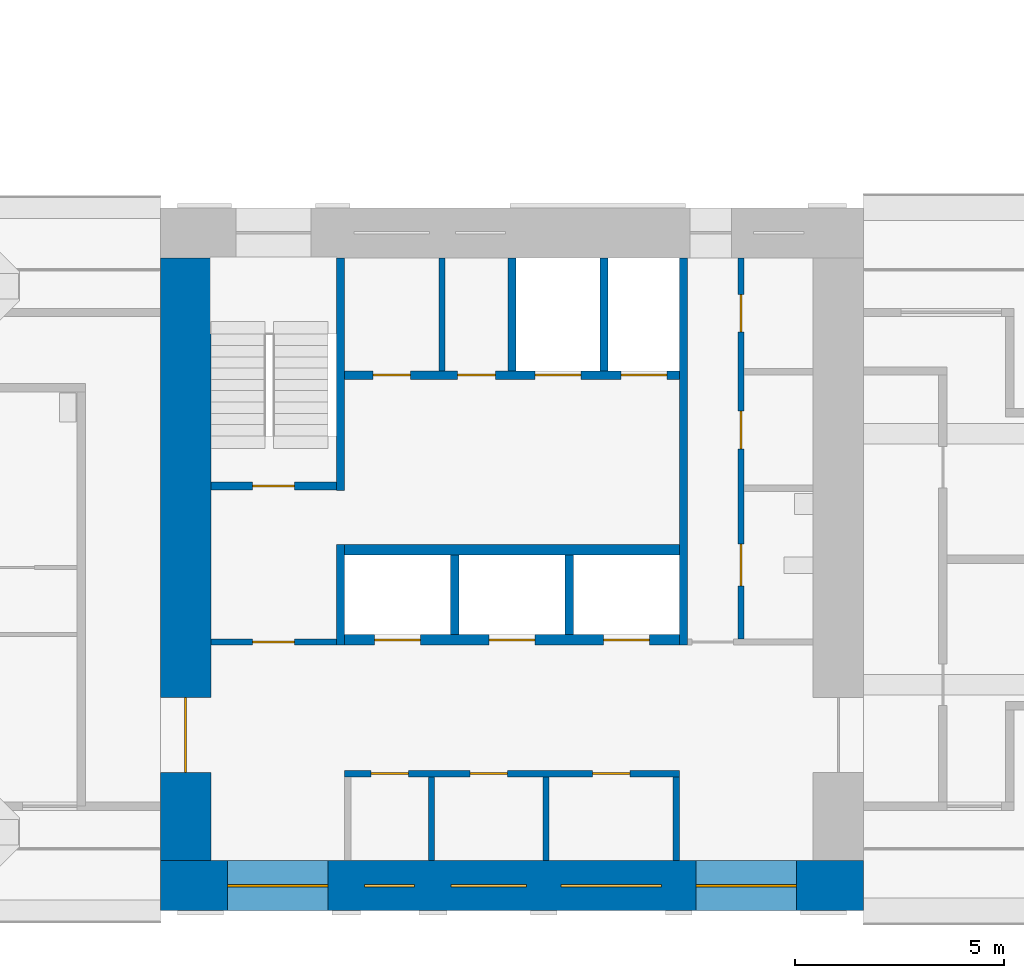
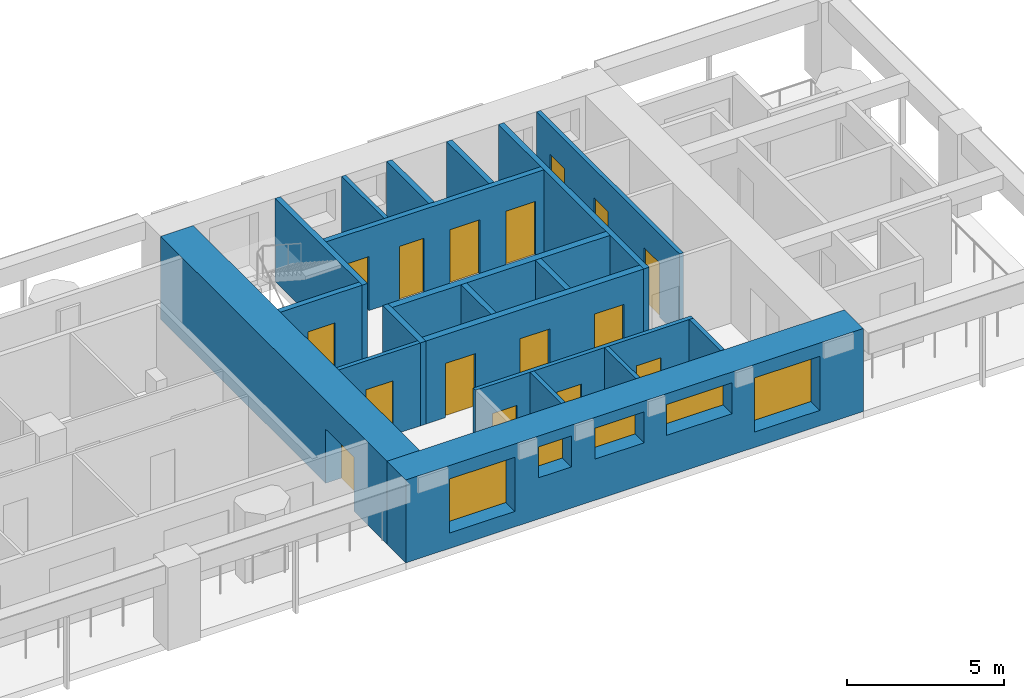
# One storey, part 4 of 13: 20 walls, 16 doors, 5 windows, 21 openings.
"""IFC4 building model written with IfcOpenShell, lengths in metres."""

from ifc_helpers import new_model, si_unit, direction, frame, frame_2d, origin, place, context, subcontext, project, spatial, rectangle, extrude, material, layer, layer_set, type_object, element, fill, save


model = new_model("IFC4")

# Units and contexts
model_context = context("Model", 3, precision=1e-05, world=origin(), true_north=direction((0.0, 1.0)))
body_context = subcontext(model_context, "Body", "Model", "MODEL_VIEW")
ifc_project = project(units=[si_unit("LENGTHUNIT", "METRE"), si_unit("AREAUNIT", "SQUARE_METRE"), si_unit("VOLUMEUNIT", "CUBIC_METRE"), si_unit("PLANEANGLEUNIT", "RADIAN"), si_unit("MASSUNIT", "GRAM", prefix="KILO")], contexts=[model_context])

# Site, building, storey
site_placement = place(None, origin())
site = spatial("IfcSite", under=ifc_project, at=site_placement, CompositionType="ELEMENT")
building_placement = place(site_placement, origin())
building = spatial("IfcBuilding", under=site, at=building_placement, Name="Vermilion Gate Residences", CompositionType="ELEMENT")
storey_placement = place(building_placement, frame((0.0, 0.0, 151.199951171875)))
storey = spatial("IfcBuildingStorey", under=building, at=storey_placement, Name="L38", CompositionType="ELEMENT", Elevation=151.199951171875)

# Walls
ifc_material_1 = material(Name="Masonry blockwork", Category="masonry")
ifc_layer_1 = layer(ifc_material_1, 0.14990234375)
ifc_layer_set_1 = layer_set([ifc_layer_1], Name="BLOCKWORK PARTITION 150 EI 120")
wall_type_1 = type_object("IfcWallType", Name="BLOCKWORK PARTITION 150 EI 120", PredefinedType="PARTITIONING", material=ifc_layer_set_1)
for number, where, z_axis, x_axis, name in (
    (1, (54.324951171875, 9.60009765625, 0.0), (0.0, 0.0, 1.0), (0.0, 1.0, 0.0), "Core room partition A38-RW-E"),
    (2, (48.47509765625, 9.60009765625, 0.0), (0.0, 0.0, 1.0), (0.0, 1.0, 0.0), "Core room partition A38-SR-P0"),
    (3, (51.215087890625, 9.60009765625, 0.0), (0.0, 0.0, 1.0), (0.0, 1.0, 0.0), "Core room partition A38-SR-P1"),
):
    element("IfcWall", number, at=place(storey_placement, frame(where, z_axis=z_axis, x_axis=x_axis)), inside=storey, type_object=wall_type_1, Name=name, PredefinedType="PARTITIONING", context=body_context, shape_type="SweptSolid", body=[
        extrude(rectangle(XDim=2.0, YDim=0.14990234375, at=frame_2d((1.0, 0.0))), origin(), (0.0, 0.0, 1.0), 3.219970703125),
    ])

# Wall, openings, doors
wall_1_placement = place(storey_placement, frame((46.39990234375, 11.675048828125, 0.0), z_axis=(0.0, 0.0, 1.0), x_axis=(1.0, 0.0, 0.0)))
wall_1 = element("IfcWall", 4, at=wall_1_placement, inside=storey, type_object=wall_type_1, Name="Core room partition A38-LR-F", PredefinedType="PARTITIONING", context=body_context, shape_type="SweptSolid", body=[
    extrude(rectangle(XDim=8.0, YDim=0.14990234375, at=frame_2d((4.0, 0.0))), origin(), (0.0, 0.0, 1.0), 3.219970703125),
])
opening_1_placement = place(wall_1_placement, frame((0.625, 0.0, 0.0)))
opening_1 = element("IfcOpeningElement", 5, at=opening_1_placement, cuts=wall_1, Name="Opening DK38003", PredefinedType="OPENING", context=body_context, shape_type="SweptSolid", body=[
    extrude(rectangle(XDim=0.89990234375, YDim=2.10009765625, at=frame_2d((0.449951171875, 1.050048828125))), frame((0.0, 0.0849609375, 0.0), z_axis=(0.0, -1.0, 0.0), x_axis=(1.0, 0.0, 0.0)), (0.0, 0.0, 1.0), 0.169921875),
])
opening_2_placement = place(wall_1_placement, frame((2.9951171875, 0.0, 0.0)))
opening_2 = element("IfcOpeningElement", 6, at=opening_2_placement, cuts=wall_1, Name="Opening DK38004", PredefinedType="OPENING", context=body_context, shape_type="SweptSolid", body=[
    extrude(rectangle(XDim=0.89990234375, YDim=2.10009765625, at=frame_2d((0.449951171875, 1.050048828125))), frame((0.0, 0.0849609375, 0.0), z_axis=(0.0, -1.0, 0.0), x_axis=(1.0, 0.0, 0.0)), (0.0, 0.0, 1.0), 0.169921875),
])
opening_3_placement = place(wall_1_placement, frame((5.919921875, 0.0, 0.0)))
opening_3 = element("IfcOpeningElement", 7, at=opening_3_placement, cuts=wall_1, Name="Opening DK38005", PredefinedType="OPENING", context=body_context, shape_type="SweptSolid", body=[
    extrude(rectangle(XDim=0.89990234375, YDim=2.10009765625, at=frame_2d((0.449951171875, 1.050048828125))), frame((0.0, 0.0849609375, 0.0), z_axis=(0.0, -1.0, 0.0), x_axis=(1.0, 0.0, 0.0)), (0.0, 0.0, 1.0), 0.169921875),
])
ifc_material_2 = material(Name="Steel", Category="steel")
door_type_1 = type_object("IfcDoorType", Name="SERVICE ROOM DOOR FD60 900 X 2100", OperationType="SINGLE_SWING_LEFT", PredefinedType="DOOR", material=ifc_material_2)
door_1_placement = place(opening_1_placement, origin())
door_1 = element("IfcDoor", 8, at=door_1_placement, inside=storey, type_object=door_type_1, Name="Electrical room A38", OperationType="SINGLE_SWING_LEFT", OverallHeight=2.10009765625, OverallWidth=0.89990234375, PredefinedType="DOOR", context=body_context, shape_type="SweptSolid", body=[
    extrude(rectangle(XDim=0.89990234375, YDim=2.10009765625, at=frame_2d((0.449951171875, 1.050048828125))), frame((0.0, 0.02490234375, 0.0), z_axis=(0.0, -1.0, 0.0), x_axis=(1.0, 0.0, 0.0)), (0.0, 0.0, 1.0), 0.050048828125),
])
fill(opening_1, door_1)
door_2_placement = place(opening_2_placement, frame((0.89990234375, 0.0, 0.0), z_axis=(0.0, 0.0, 1.0), x_axis=(-1.0, 0.0, 0.0)))
door_2 = element("IfcDoor", 9, at=door_2_placement, inside=storey, type_object=door_type_1, Name="Communications room A38", OperationType="SINGLE_SWING_RIGHT", OverallHeight=2.10009765625, OverallWidth=0.89990234375, PredefinedType="DOOR", context=body_context, shape_type="SweptSolid", body=[
    extrude(rectangle(XDim=0.89990234375, YDim=2.10009765625, at=frame_2d((0.449951171875, 1.050048828125))), frame((0.0, 0.02490234375, 0.0), z_axis=(0.0, -1.0, 0.0), x_axis=(1.0, 0.0, 0.0)), (0.0, 0.0, 1.0), 0.050048828125),
])
fill(opening_2, door_2)
door_3_placement = place(opening_3_placement, frame((0.89990234375, 0.0, 0.0), z_axis=(0.0, 0.0, 1.0), x_axis=(-1.0, 0.0, 0.0)))
door_3 = element("IfcDoor", 10, at=door_3_placement, inside=storey, type_object=door_type_1, Name="Refuse room A38", OperationType="SINGLE_SWING_RIGHT", OverallHeight=2.10009765625, OverallWidth=0.89990234375, PredefinedType="DOOR", context=body_context, shape_type="SweptSolid", body=[
    extrude(rectangle(XDim=0.89990234375, YDim=2.10009765625, at=frame_2d((0.449951171875, 1.050048828125))), frame((0.0, 0.02490234375, 0.0), z_axis=(0.0, -1.0, 0.0), x_axis=(1.0, 0.0, 0.0)), (0.0, 0.0, 1.0), 0.050048828125),
])
fill(opening_3, door_3)

# Wall
wall_2_placement = place(storey_placement, frame((48.72509765625, 21.300048828125, 0.0), z_axis=(0.0, 0.0, 1.0), x_axis=(0.0, 1.0, 0.0)))
element("IfcWall", 11, at=wall_2_placement, inside=storey, type_object=wall_type_1, Name="Core room partition A38-NR-P0", PredefinedType="PARTITIONING", context=body_context, shape_type="SweptSolid", body=[
    extrude(rectangle(XDim=2.699951171875, YDim=0.14990234375, at=frame_2d((1.35009765625, 0.0))), origin(), (0.0, 0.0, 1.0), 3.219970703125),
])

# Wall, opening, door
wall_3_placement = place(storey_placement, frame((43.199951171875, 14.824951171875, 0.0), z_axis=(0.0, 0.0, 1.0), x_axis=(1.0, 0.0, 0.0)))
wall_3 = element("IfcWall", 12, at=wall_3_placement, inside=storey, type_object=wall_type_1, Name="Core room partition A38-VW-S", PredefinedType="PARTITIONING", context=body_context, shape_type="SweptSolid", body=[
    extrude(rectangle(XDim=3.0, YDim=0.14990234375, at=frame_2d((1.5, 0.0))), origin(), (0.0, 0.0, 1.0), 3.219970703125),
])
opening_4_placement = place(wall_3_placement, frame((1.0, 0.0, 0.0)))
opening_4 = element("IfcOpeningElement", 13, at=opening_4_placement, cuts=wall_3, Name="Opening DK38013", PredefinedType="OPENING", context=body_context, shape_type="SweptSolid", body=[
    extrude(rectangle(XDim=1.0, YDim=2.10009765625, at=frame_2d((0.5, 1.050048828125))), frame((0.0, 0.0849609375, 0.0), z_axis=(0.0, -1.0, 0.0), x_axis=(1.0, 0.0, 0.0)), (0.0, 0.0, 1.0), 0.169921875),
])
ifc_material_3 = material(Name="Steel", Category="steel")
door_type_2 = type_object("IfcDoorType", Name="FIRE DOOR FD60 1000 X 2100", OperationType="SINGLE_SWING_LEFT", PredefinedType="DOOR", material=ifc_material_3)
door_4_placement = place(opening_4_placement, frame((1.0, 0.0, 0.0), z_axis=(0.0, 0.0, 1.0), x_axis=(-1.0, 0.0, 0.0)))
door_4 = element("IfcDoor", 14, at=door_4_placement, inside=storey, type_object=door_type_2, Name="Stair vestibule door A38", OperationType="SINGLE_SWING_RIGHT", OverallHeight=2.10009765625, OverallWidth=1.0, PredefinedType="DOOR", context=body_context, shape_type="SweptSolid", body=[
    extrude(rectangle(XDim=1.0, YDim=2.10009765625, at=frame_2d((0.5, 1.050048828125))), frame((0.0, 0.02490234375, 0.0), z_axis=(0.0, -1.0, 0.0), x_axis=(1.0, 0.0, 0.0)), (0.0, 0.0, 1.0), 0.050048828125),
])
fill(opening_4, door_4)

# Wall, openings, doors
wall_4_placement = place(storey_placement, frame((55.875, 14.89990234375, 0.0), z_axis=(0.0, 0.0, 1.0), x_axis=(0.0, 1.0, 0.0)))
wall_4 = element("IfcWall", 15, at=wall_4_placement, inside=storey, type_object=wall_type_1, Name="Core room partition A38-ES-W", PredefinedType="PARTITIONING", context=body_context, shape_type="SweptSolid", body=[
    extrude(rectangle(XDim=9.10009765625, YDim=0.14990234375, at=frame_2d((4.550048828125, 0.0))), origin(), (0.0, 0.0, 1.0), 3.219970703125),
])
opening_5_placement = place(wall_4_placement, frame((1.260009765625, 0.0, 0.0)))
opening_5 = element("IfcOpeningElement", 16, at=opening_5_placement, cuts=wall_4, Name="Opening DK38016", PredefinedType="OPENING", context=body_context, shape_type="SweptSolid", body=[
    extrude(rectangle(XDim=1.0, YDim=2.10009765625, at=frame_2d((0.5, 1.050048828125))), frame((0.0, 0.0849609375, 0.0), z_axis=(0.0, -1.0, 0.0), x_axis=(1.0, 0.0, 0.0)), (0.0, 0.0, 1.0), 0.169921875),
])
opening_6_placement = place(wall_4_placement, frame((4.5400390625, 0.0, 0.0)))
opening_6 = element("IfcOpeningElement", 17, at=opening_6_placement, cuts=wall_4, Name="Opening DK38017", PredefinedType="OPENING", context=body_context, shape_type="SweptSolid", body=[
    extrude(rectangle(XDim=0.89990234375, YDim=2.10009765625, at=frame_2d((0.449951171875, 1.050048828125))), frame((0.0, 0.0849609375, 0.0), z_axis=(0.0, -1.0, 0.0), x_axis=(1.0, 0.0, 0.0)), (0.0, 0.0, 1.0), 0.169921875),
])
opening_7_placement = place(wall_4_placement, frame((7.330078125, 0.0, 0.0)))
opening_7 = element("IfcOpeningElement", 18, at=opening_7_placement, cuts=wall_4, Name="Opening DK38018", PredefinedType="OPENING", context=body_context, shape_type="SweptSolid", body=[
    extrude(rectangle(XDim=0.89990234375, YDim=2.10009765625, at=frame_2d((0.449951171875, 1.050048828125))), frame((0.0, 0.0849609375, 0.0), z_axis=(0.0, -1.0, 0.0), x_axis=(1.0, 0.0, 0.0)), (0.0, 0.0, 1.0), 0.169921875),
])
door_5_placement = place(opening_5_placement, frame((1.0, 0.0, 0.0), z_axis=(0.0, 0.0, 1.0), x_axis=(-1.0, 0.0, 0.0)))
door_5 = element("IfcDoor", 19, at=door_5_placement, inside=storey, type_object=door_type_2, Name="Accessible WC A38", OperationType="SINGLE_SWING_RIGHT", OverallHeight=2.10009765625, OverallWidth=1.0, PredefinedType="DOOR", context=body_context, shape_type="SweptSolid", body=[
    extrude(rectangle(XDim=1.0, YDim=2.10009765625, at=frame_2d((0.5, 1.050048828125))), frame((0.0, 0.02490234375, 0.0), z_axis=(0.0, -1.0, 0.0), x_axis=(1.0, 0.0, 0.0)), (0.0, 0.0, 1.0), 0.050048828125),
])
fill(opening_5, door_5)
door_6_placement = place(opening_6_placement, frame((0.89990234375, 0.0, 0.0), z_axis=(0.0, 0.0, 1.0), x_axis=(-1.0, 0.0, 0.0)))
door_6 = element("IfcDoor", 20, at=door_6_placement, inside=storey, type_object=door_type_1, Name="Refuse room A38", OperationType="SINGLE_SWING_RIGHT", OverallHeight=2.10009765625, OverallWidth=0.89990234375, PredefinedType="DOOR", context=body_context, shape_type="SweptSolid", body=[
    extrude(rectangle(XDim=0.89990234375, YDim=2.10009765625, at=frame_2d((0.449951171875, 1.050048828125))), frame((0.0, 0.02490234375, 0.0), z_axis=(0.0, -1.0, 0.0), x_axis=(1.0, 0.0, 0.0)), (0.0, 0.0, 1.0), 0.050048828125),
])
fill(opening_6, door_6)
door_7_placement = place(opening_7_placement, frame((0.89990234375, 0.0, 0.0), z_axis=(0.0, 0.0, 1.0), x_axis=(-1.0, 0.0, 0.0)))
door_7 = element("IfcDoor", 21, at=door_7_placement, inside=storey, type_object=door_type_1, Name="Parcel room A38", OperationType="SINGLE_SWING_LEFT", OverallHeight=2.10009765625, OverallWidth=0.89990234375, PredefinedType="DOOR", context=body_context, shape_type="SweptSolid", body=[
    extrude(rectangle(XDim=0.89990234375, YDim=2.10009765625, at=frame_2d((0.449951171875, 1.050048828125))), frame((0.0, 0.02490234375, 0.0), z_axis=(0.0, -1.0, 0.0), x_axis=(1.0, 0.0, 0.0)), (0.0, 0.0, 1.0), 0.050048828125),
])
fill(opening_7, door_7)

# Walls
ifc_material_4 = material(Name="Concrete C60", Category="concrete")
ifc_layer_2 = layer(ifc_material_4, 0.199951171875)
ifc_layer_set_2 = layer_set([ifc_layer_2], Name="RC CORE INTERNAL WALL 200 C60")
wall_type_2 = type_object("IfcWallType", Name="RC CORE INTERNAL WALL 200 C60", PredefinedType="SHEAR", material=ifc_layer_set_2)
for number, where, z_axis, x_axis, name in (
    (22, (49.033447265625, 15.0, 0.0), (0.0, 0.0, 1.0), (0.0, 1.0, 0.0), "Core internal wall A38-HR-D1"),
    (23, (51.7666015625, 15.0, 0.0), (0.0, 0.0, 1.0), (0.0, 1.0, 0.0), "Core internal wall A38-HR-D2"),
):
    element("IfcWall", number, at=place(storey_placement, frame(where, z_axis=z_axis, x_axis=x_axis)), inside=storey, type_object=wall_type_2, Name=name, PredefinedType="SHEAR", context=body_context, shape_type="SweptSolid", body=[
        extrude(rectangle(XDim=1.89990234375, YDim=0.199951171875, at=frame_2d((0.949951171875, 0.0))), origin(), (0.0, 0.0, 1.0), 3.219970703125),
    ])
for number, where, z_axis, x_axis, name in (
    (24, (50.39990234375, 21.300048828125, 0.0), (0.0, 0.0, 1.0), (0.0, 1.0, 0.0), "Core internal wall A38-FF-D0"),
    (25, (52.60009765625, 21.300048828125, 0.0), (0.0, 0.0, 1.0), (0.0, 1.0, 0.0), "Core internal wall A38-FF-D1"),
):
    element("IfcWall", number, at=place(storey_placement, frame(where, z_axis=z_axis, x_axis=x_axis)), inside=storey, type_object=wall_type_2, Name=name, PredefinedType="SHEAR", context=body_context, shape_type="SweptSolid", body=[
        extrude(rectangle(XDim=2.699951171875, YDim=0.199951171875, at=frame_2d((1.35009765625, 0.0))), origin(), (0.0, 0.0, 1.0), 3.219970703125),
    ])

# Wall, openings, doors
wall_5_placement = place(storey_placement, frame((46.39990234375, 21.199951171875, 0.0), z_axis=(0.0, 0.0, 1.0), x_axis=(1.0, 0.0, 0.0)))
wall_5 = element("IfcWall", 26, at=wall_5_placement, inside=storey, type_object=wall_type_2, Name="Core internal wall A38-FF-F", PredefinedType="SHEAR", context=body_context, shape_type="SweptSolid", body=[
    extrude(rectangle(XDim=8.0, YDim=0.199951171875, at=frame_2d((4.0, 0.0))), origin(), (0.0, 0.0, 1.0), 3.219970703125),
])
opening_8_placement = place(wall_5_placement, frame((0.675048828125, 0.0, 0.0)))
opening_8 = element("IfcOpeningElement", 27, at=opening_8_placement, cuts=wall_5, Name="Opening DK38009", PredefinedType="OPENING", context=body_context, shape_type="SweptSolid", body=[
    extrude(rectangle(XDim=0.89990234375, YDim=2.10009765625, at=frame_2d((0.449951171875, 1.050048828125))), frame((0.0, 0.10986328125, 0.0), z_axis=(0.0, -1.0, 0.0), x_axis=(1.0, 0.0, 0.0)), (0.0, 0.0, 1.0), 0.219970703125),
])
opening_9_placement = place(wall_5_placement, frame((2.699951171875, 0.0, 0.0)))
opening_9 = element("IfcOpeningElement", 28, at=opening_9_placement, cuts=wall_5, Name="Opening DK38010", PredefinedType="OPENING", context=body_context, shape_type="SweptSolid", body=[
    extrude(rectangle(XDim=0.89990234375, YDim=2.10009765625, at=frame_2d((0.449951171875, 1.050048828125))), frame((0.0, 0.10986328125, 0.0), z_axis=(0.0, -1.0, 0.0), x_axis=(1.0, 0.0, 0.0)), (0.0, 0.0, 1.0), 0.219970703125),
])
opening_10_placement = place(wall_5_placement, frame((4.550048828125, 0.0, 0.0)))
opening_10 = element("IfcOpeningElement", 29, at=opening_10_placement, cuts=wall_5, Name="Opening LD", PredefinedType="OPENING", context=body_context, shape_type="SweptSolid", body=[
    extrude(rectangle(XDim=1.10009765625, YDim=2.10009765625, at=frame_2d((0.550048828125, 1.050048828125))), frame((0.0, 0.10986328125, 0.0), z_axis=(0.0, -1.0, 0.0), x_axis=(1.0, 0.0, 0.0)), (0.0, 0.0, 1.0), 0.219970703125),
])
opening_11_placement = place(wall_5_placement, frame((6.60009765625, 0.0, 0.0)))
opening_11 = element("IfcOpeningElement", 30, at=opening_11_placement, cuts=wall_5, Name="Opening LD", PredefinedType="OPENING", context=body_context, shape_type="SweptSolid", body=[
    extrude(rectangle(XDim=1.10009765625, YDim=2.10009765625, at=frame_2d((0.550048828125, 1.050048828125))), frame((0.0, 0.10986328125, 0.0), z_axis=(0.0, -1.0, 0.0), x_axis=(1.0, 0.0, 0.0)), (0.0, 0.0, 1.0), 0.219970703125),
])
ifc_material_5 = material(Name="Stainless steel", Category="steel")
door_type_3 = type_object("IfcDoorType", Name="LIFT LANDING DOOR E60 1100 X 2100", OperationType="DOUBLE_DOOR_SLIDING", PredefinedType="DOOR", material=ifc_material_5)
door_8_placement = place(opening_10_placement, origin())
door_8 = element("IfcDoor", 31, at=door_8_placement, inside=storey, type_object=door_type_3, Name="Lift landing door LFA1", OperationType="DOUBLE_DOOR_SLIDING", OverallHeight=2.10009765625, OverallWidth=1.10009765625, PredefinedType="DOOR", context=body_context, shape_type="SweptSolid", body=[
    extrude(rectangle(XDim=1.10009765625, YDim=2.10009765625, at=frame_2d((0.550048828125, 1.050048828125))), frame((0.0, 0.02490234375, 0.0), z_axis=(0.0, -1.0, 0.0), x_axis=(1.0, 0.0, 0.0)), (0.0, 0.0, 1.0), 0.050048828125),
])
fill(opening_10, door_8)
door_9_placement = place(opening_11_placement, origin())
door_9 = element("IfcDoor", 32, at=door_9_placement, inside=storey, type_object=door_type_3, Name="Lift landing door LCA1", OperationType="DOUBLE_DOOR_SLIDING", OverallHeight=2.10009765625, OverallWidth=1.10009765625, PredefinedType="DOOR", context=body_context, shape_type="SweptSolid", body=[
    extrude(rectangle(XDim=1.10009765625, YDim=2.10009765625, at=frame_2d((0.550048828125, 1.050048828125))), frame((0.0, 0.02490234375, 0.0), z_axis=(0.0, -1.0, 0.0), x_axis=(1.0, 0.0, 0.0)), (0.0, 0.0, 1.0), 0.050048828125),
])
fill(opening_11, door_9)
door_10_placement = place(opening_8_placement, origin())
door_10 = element("IfcDoor", 33, at=door_10_placement, inside=storey, type_object=door_type_1, Name="Electrical riser A38", OperationType="SINGLE_SWING_LEFT", OverallHeight=2.10009765625, OverallWidth=0.89990234375, PredefinedType="DOOR", context=body_context, shape_type="SweptSolid", body=[
    extrude(rectangle(XDim=0.89990234375, YDim=2.10009765625, at=frame_2d((0.449951171875, 1.050048828125))), frame((0.0, 0.02490234375, 0.0), z_axis=(0.0, -1.0, 0.0), x_axis=(1.0, 0.0, 0.0)), (0.0, 0.0, 1.0), 0.050048828125),
])
fill(opening_8, door_10)
door_11_placement = place(opening_9_placement, origin())
door_11 = element("IfcDoor", 34, at=door_11_placement, inside=storey, type_object=door_type_1, Name="Cleaner's store A38", OperationType="SINGLE_SWING_LEFT", OverallHeight=2.10009765625, OverallWidth=0.89990234375, PredefinedType="DOOR", context=body_context, shape_type="SweptSolid", body=[
    extrude(rectangle(XDim=0.89990234375, YDim=2.10009765625, at=frame_2d((0.449951171875, 1.050048828125))), frame((0.0, 0.02490234375, 0.0), z_axis=(0.0, -1.0, 0.0), x_axis=(1.0, 0.0, 0.0)), (0.0, 0.0, 1.0), 0.050048828125),
])
fill(opening_9, door_11)

# Walls
wall_6_placement = place(storey_placement, frame((46.300048828125, 14.75, 0.0), z_axis=(0.0, 0.0, 1.0), x_axis=(0.0, 1.0, 0.0)))
element("IfcWall", 35, at=wall_6_placement, inside=storey, type_object=wall_type_2, Name="Core internal wall A38-WDIV1", PredefinedType="SHEAR", context=body_context, shape_type="SweptSolid", body=[
    extrude(rectangle(XDim=2.39990234375, YDim=0.199951171875, at=frame_2d((1.199951171875, 0.0))), origin(), (0.0, 0.0, 1.0), 3.219970703125),
])
wall_7_placement = place(storey_placement, frame((46.300048828125, 18.449951171875, 0.0), z_axis=(0.0, 0.0, 1.0), x_axis=(0.0, 1.0, 0.0)))
element("IfcWall", 36, at=wall_7_placement, inside=storey, type_object=wall_type_2, Name="Core internal wall A38-WDIV2", PredefinedType="SHEAR", context=body_context, shape_type="SweptSolid", body=[
    extrude(rectangle(XDim=5.550048828125, YDim=0.199951171875, at=frame_2d((2.77490234375, 0.0))), origin(), (0.0, 0.0, 1.0), 3.219970703125),
])

# Wall, opening, door
wall_8_placement = place(storey_placement, frame((43.199951171875, 18.550048828125, 0.0), z_axis=(0.0, 0.0, 1.0), x_axis=(1.0, 0.0, 0.0)))
wall_8 = element("IfcWall", 37, at=wall_8_placement, inside=storey, type_object=wall_type_2, Name="Core internal wall A38-STW-S", PredefinedType="SHEAR", context=body_context, shape_type="SweptSolid", body=[
    extrude(rectangle(XDim=3.0, YDim=0.199951171875, at=frame_2d((1.5, 0.0))), origin(), (0.0, 0.0, 1.0), 3.219970703125),
])
opening_12_placement = place(wall_8_placement, frame((1.0, 0.0, 0.0)))
opening_12 = element("IfcOpeningElement", 38, at=opening_12_placement, cuts=wall_8, Name="Opening DK38014", PredefinedType="OPENING", context=body_context, shape_type="SweptSolid", body=[
    extrude(rectangle(XDim=1.0, YDim=2.10009765625, at=frame_2d((0.5, 1.050048828125))), frame((0.0, 0.10986328125, 0.0), z_axis=(0.0, -1.0, 0.0), x_axis=(1.0, 0.0, 0.0)), (0.0, 0.0, 1.0), 0.219970703125),
])
door_12_placement = place(opening_12_placement, origin())
door_12 = element("IfcDoor", 39, at=door_12_placement, inside=storey, type_object=door_type_2, Name="Stair door A38", OperationType="SINGLE_SWING_LEFT", OverallHeight=2.10009765625, OverallWidth=1.0, PredefinedType="DOOR", context=body_context, shape_type="SweptSolid", body=[
    extrude(rectangle(XDim=1.0, YDim=2.10009765625, at=frame_2d((0.5, 1.050048828125))), frame((0.0, 0.02490234375, 0.0), z_axis=(0.0, -1.0, 0.0), x_axis=(1.0, 0.0, 0.0)), (0.0, 0.0, 1.0), 0.050048828125),
])
fill(opening_12, door_12)

# Wall
wall_9_placement = place(storey_placement, frame((54.5, 14.75, 0.0), z_axis=(0.0, 0.0, 1.0), x_axis=(0.0, 1.0, 0.0)))
element("IfcWall", 40, at=wall_9_placement, inside=storey, type_object=wall_type_2, Name="Core internal wall A38-EDIV", PredefinedType="SHEAR", context=body_context, shape_type="SweptSolid", body=[
    extrude(rectangle(XDim=9.25, YDim=0.199951171875, at=frame_2d((4.625, 0.0))), origin(), (0.0, 0.0, 1.0), 3.219970703125),
])

# Wall, opening, door
ifc_material_6 = material(Name="Concrete C60", Category="concrete")
ifc_layer_3 = layer(ifc_material_6, 1.199951171875)
ifc_layer_set_3 = layer_set([ifc_layer_3], Name="RC CORE WALL 1200 C60")
wall_type_3 = type_object("IfcWallType", Name="RC CORE WALL 1200 C60", PredefinedType="SHEAR", material=ifc_layer_set_3)
wall_10_placement = place(storey_placement, frame((42.60009765625, 9.60009765625, 0.0), z_axis=(0.0, 0.0, 1.0), x_axis=(0.0, 1.0, 0.0)))
wall_10 = element("IfcWall", 41, at=wall_10_placement, inside=storey, type_object=wall_type_3, Name="Core wall A38-OUT-FR", PredefinedType="SHEAR", context=body_context, shape_type="SweptSolid", body=[
    extrude(rectangle(XDim=14.39990234375, YDim=1.199951171875, at=frame_2d((7.199951171875, 0.0))), origin(), (0.0, 0.0, 1.0), 3.219970703125),
])
opening_13_placement = place(wall_10_placement, frame((2.10009765625, 0.0, 0.0)))
opening_13 = element("IfcOpeningElement", 42, at=opening_13_placement, cuts=wall_10, Name="Opening DK38001", PredefinedType="OPENING", context=body_context, shape_type="SweptSolid", body=[
    extrude(rectangle(XDim=1.800048828125, YDim=2.10009765625, at=frame_2d((0.89990234375, 1.050048828125))), frame((0.0, 0.60986328125, 0.0), z_axis=(0.0, -1.0, 0.0), x_axis=(1.0, 0.0, 0.0)), (0.0, 0.0, 1.0), 1.219970703125),
])
ifc_material_7 = material(Name="Steel", Category="steel")
door_type_4 = type_object("IfcDoorType", Name="CORE LOBBY DOOR FD60 1800 X 2100", OperationType="DOUBLE_DOOR_SINGLE_SWING", PredefinedType="DOOR", material=ifc_material_7)
door_13_placement = place(opening_13_placement, frame((1.800048828125, 0.0, 0.0), z_axis=(0.0, 0.0, 1.0), x_axis=(-1.0, 0.0, 0.0)))
door_13 = element("IfcDoor", 43, at=door_13_placement, inside=storey, type_object=door_type_4, Name="Core lobby door A38", OperationType="DOUBLE_DOOR_SINGLE_SWING", OverallHeight=2.10009765625, OverallWidth=1.800048828125, PredefinedType="DOOR", context=body_context, shape_type="SweptSolid", body=[
    extrude(rectangle(XDim=1.800048828125, YDim=2.10009765625, at=frame_2d((0.89990234375, 1.050048828125))), frame((0.0, 0.02490234375, 0.0), z_axis=(0.0, -1.0, 0.0), x_axis=(1.0, 0.0, 0.0)), (0.0, 0.0, 1.0), 0.050048828125),
])
fill(opening_13, door_13)

# Wall, openings, windows
ifc_material_8 = material(Name="Concrete C60 red-oxide pigmented", Category="concrete")
ifc_layer_4 = layer(ifc_material_8, 1.199951171875)
ifc_layer_set_4 = layer_set([ifc_layer_4], Name="RC CORE WALL 1200 C60 RED OXIDE")
wall_type_4 = type_object("IfcWallType", Name="RC CORE WALL 1200 C60 RED OXIDE", PredefinedType="SHEAR", material=ifc_layer_set_4)
wall_11_placement = place(storey_placement, frame((42.0, 9.0, 0.0), z_axis=(0.0, 0.0, 1.0), x_axis=(1.0, 0.0, 0.0)))
wall_11 = element("IfcWall", 44, at=wall_11_placement, inside=storey, type_object=wall_type_4, Name="Core wall A38-OUT-B0", PredefinedType="SHEAR", context=body_context, shape_type="SweptSolid", body=[
    extrude(rectangle(XDim=16.800048828125, YDim=1.199951171875, at=frame_2d((8.39990234375, 0.0))), origin(), (0.0, 0.0, 1.0), 3.219970703125),
])
opening_14_placement = place(wall_11_placement, frame((1.60009765625, 0.0, 0.60009765625)))
opening_14 = element("IfcOpeningElement", 45, at=opening_14_placement, cuts=wall_11, Name="Opening WKA3801", PredefinedType="OPENING", context=body_context, shape_type="SweptSolid", body=[
    extrude(rectangle(XDim=2.39990234375, YDim=2.10009765625, at=frame_2d((1.199951171875, 1.050048828125))), frame((0.0, 0.60986328125, 0.0), z_axis=(0.0, -1.0, 0.0), x_axis=(1.0, 0.0, 0.0)), (0.0, 0.0, 1.0), 1.219970703125),
])
opening_15_placement = place(wall_11_placement, frame((4.875, 0.0, 1.60009765625)))
opening_15 = element("IfcOpeningElement", 46, at=opening_15_placement, cuts=wall_11, Name="Opening WKA3802", PredefinedType="OPENING", context=body_context, shape_type="SweptSolid", body=[
    extrude(rectangle(XDim=1.199951171875, YDim=1.199951171875, at=frame_2d((0.60009765625, 0.60009765625))), frame((0.0, 0.60986328125, 0.0), z_axis=(0.0, -1.0, 0.0), x_axis=(1.0, 0.0, 0.0)), (0.0, 0.0, 1.0), 1.219970703125),
])
opening_16_placement = place(wall_11_placement, frame((6.945068359375, 0.0, 1.60009765625)))
opening_16 = element("IfcOpeningElement", 47, at=opening_16_placement, cuts=wall_11, Name="Opening WKA3803", PredefinedType="OPENING", context=body_context, shape_type="SweptSolid", body=[
    extrude(rectangle(XDim=1.800048828125, YDim=1.199951171875, at=frame_2d((0.89990234375, 0.60009765625))), frame((0.0, 0.60986328125, 0.0), z_axis=(0.0, -1.0, 0.0), x_axis=(1.0, 0.0, 0.0)), (0.0, 0.0, 1.0), 1.219970703125),
])
opening_17_placement = place(wall_11_placement, frame((9.570068359375, 0.0, 1.60009765625)))
opening_17 = element("IfcOpeningElement", 48, at=opening_17_placement, cuts=wall_11, Name="Opening WKA3804", PredefinedType="OPENING", context=body_context, shape_type="SweptSolid", body=[
    extrude(rectangle(XDim=2.39990234375, YDim=1.199951171875, at=frame_2d((1.199951171875, 0.60009765625))), frame((0.0, 0.60986328125, 0.0), z_axis=(0.0, -1.0, 0.0), x_axis=(1.0, 0.0, 0.0)), (0.0, 0.0, 1.0), 1.219970703125),
])
opening_18_placement = place(wall_11_placement, frame((12.800048828125, 0.0, 0.60009765625)))
opening_18 = element("IfcOpeningElement", 49, at=opening_18_placement, cuts=wall_11, Name="Opening WKA3805", PredefinedType="OPENING", context=body_context, shape_type="SweptSolid", body=[
    extrude(rectangle(XDim=2.39990234375, YDim=2.10009765625, at=frame_2d((1.199951171875, 1.050048828125))), frame((0.0, 0.60986328125, 0.0), z_axis=(0.0, -1.0, 0.0), x_axis=(1.0, 0.0, 0.0)), (0.0, 0.0, 1.0), 1.219970703125),
])
ifc_material_9 = material(Name="Aluminium and clear glass", Category="aluminium")
window_type_1 = type_object("IfcWindowType", Name="CORE LOBBY WINDOW 2400 X 2100", PartitioningType="SINGLE_PANEL", PredefinedType="WINDOW", material=ifc_material_9)
window_1_placement = place(opening_14_placement, origin())
window_1 = element("IfcWindow", 50, at=window_1_placement, inside=storey, type_object=window_type_1, Name="Core lobby window", OverallHeight=2.10009765625, OverallWidth=2.39990234375, PartitioningType="SINGLE_PANEL", PredefinedType="WINDOW", context=body_context, shape_type="SweptSolid", body=[
    extrude(rectangle(XDim=2.39990234375, YDim=2.10009765625, at=frame_2d((1.199951171875, 1.050048828125))), frame((0.0, 0.030029296875, 0.0), z_axis=(0.0, -1.0, 0.0), x_axis=(1.0, 0.0, 0.0)), (0.0, 0.0, 1.0), 0.06005859375),
])
fill(opening_14, window_1)
window_2_placement = place(opening_18_placement, origin())
window_2 = element("IfcWindow", 51, at=window_2_placement, inside=storey, type_object=window_type_1, Name="Core lobby window", OverallHeight=2.10009765625, OverallWidth=2.39990234375, PartitioningType="SINGLE_PANEL", PredefinedType="WINDOW", context=body_context, shape_type="SweptSolid", body=[
    extrude(rectangle(XDim=2.39990234375, YDim=2.10009765625, at=frame_2d((1.199951171875, 1.050048828125))), frame((0.0, 0.030029296875, 0.0), z_axis=(0.0, -1.0, 0.0), x_axis=(1.0, 0.0, 0.0)), (0.0, 0.0, 1.0), 0.06005859375),
])
fill(opening_18, window_2)
ifc_material_10 = material(Name="Aluminium frame with louvre blades", Category="aluminium")
window_type_2 = type_object("IfcWindowType", Name="CORE LOUVRE 1200 X 1200", PartitioningType="SINGLE_PANEL", PredefinedType="WINDOW", material=ifc_material_10)
window_3_placement = place(opening_15_placement, origin())
window_3 = element("IfcWindow", 52, at=window_3_placement, inside=storey, type_object=window_type_2, Name="Core louvre", OverallHeight=1.199951171875, OverallWidth=1.199951171875, PartitioningType="SINGLE_PANEL", PredefinedType="WINDOW", context=body_context, shape_type="SweptSolid", body=[
    extrude(rectangle(XDim=1.199951171875, YDim=1.199951171875, at=frame_2d((0.60009765625, 0.60009765625))), frame((0.0, 0.030029296875, 0.0), z_axis=(0.0, -1.0, 0.0), x_axis=(1.0, 0.0, 0.0)), (0.0, 0.0, 1.0), 0.06005859375),
])
fill(opening_15, window_3)
ifc_material_11 = material(Name="Aluminium frame with louvre blades", Category="aluminium")
window_type_3 = type_object("IfcWindowType", Name="CORE LOUVRE 1800 X 1200", PartitioningType="SINGLE_PANEL", PredefinedType="WINDOW", material=ifc_material_11)
window_4_placement = place(opening_16_placement, origin())
window_4 = element("IfcWindow", 53, at=window_4_placement, inside=storey, type_object=window_type_3, Name="Core louvre", OverallHeight=1.199951171875, OverallWidth=1.800048828125, PartitioningType="SINGLE_PANEL", PredefinedType="WINDOW", context=body_context, shape_type="SweptSolid", body=[
    extrude(rectangle(XDim=1.800048828125, YDim=1.199951171875, at=frame_2d((0.89990234375, 0.60009765625))), frame((0.0, 0.030029296875, 0.0), z_axis=(0.0, -1.0, 0.0), x_axis=(1.0, 0.0, 0.0)), (0.0, 0.0, 1.0), 0.06005859375),
])
fill(opening_16, window_4)
ifc_material_12 = material(Name="Aluminium frame with louvre blades", Category="aluminium")
window_type_4 = type_object("IfcWindowType", Name="CORE LOUVRE 2400 X 1200", PartitioningType="SINGLE_PANEL", PredefinedType="WINDOW", material=ifc_material_12)
window_5_placement = place(opening_17_placement, origin())
window_5 = element("IfcWindow", 54, at=window_5_placement, inside=storey, type_object=window_type_4, Name="Core louvre", OverallHeight=1.199951171875, OverallWidth=2.39990234375, PartitioningType="SINGLE_PANEL", PredefinedType="WINDOW", context=body_context, shape_type="SweptSolid", body=[
    extrude(rectangle(XDim=2.39990234375, YDim=1.199951171875, at=frame_2d((1.199951171875, 0.60009765625))), frame((0.0, 0.030029296875, 0.0), z_axis=(0.0, -1.0, 0.0), x_axis=(1.0, 0.0, 0.0)), (0.0, 0.0, 1.0), 0.06005859375),
])
fill(opening_17, window_5)

# Wall, openings, doors
ifc_material_13 = material(Name="Concrete C60", Category="concrete")
ifc_layer_5 = layer(ifc_material_13, 0.25)
ifc_layer_set_5 = layer_set([ifc_layer_5], Name="RC LIFT SHAFT WALL 250 C60")
wall_type_5 = type_object("IfcWallType", Name="RC LIFT SHAFT WALL 250 C60", PredefinedType="SHEAR", material=ifc_layer_set_5)
wall_12_placement = place(storey_placement, frame((46.39990234375, 14.875, 0.0), z_axis=(0.0, 0.0, 1.0), x_axis=(1.0, 0.0, 0.0)))
wall_12 = element("IfcWall", 55, at=wall_12_placement, inside=storey, type_object=wall_type_5, Name="Lift shaft wall A38-HR-F", PredefinedType="SHEAR", context=body_context, shape_type="SweptSolid", body=[
    extrude(rectangle(XDim=8.0, YDim=0.25, at=frame_2d((4.0, 0.0))), origin(), (0.0, 0.0, 1.0), 3.219970703125),
])
opening_19_placement = place(wall_12_placement, frame((0.716552734375, 0.0, 0.0)))
opening_19 = element("IfcOpeningElement", 56, at=opening_19_placement, cuts=wall_12, Name="Opening LD", PredefinedType="OPENING", context=body_context, shape_type="SweptSolid", body=[
    extrude(rectangle(XDim=1.10009765625, YDim=2.10009765625, at=frame_2d((0.550048828125, 1.050048828125))), frame((0.0, 0.135009765625, 0.0), z_axis=(0.0, -1.0, 0.0), x_axis=(1.0, 0.0, 0.0)), (0.0, 0.0, 1.0), 0.27001953125),
])
opening_20_placement = place(wall_12_placement, frame((3.449951171875, 0.0, 0.0)))
opening_20 = element("IfcOpeningElement", 57, at=opening_20_placement, cuts=wall_12, Name="Opening LD", PredefinedType="OPENING", context=body_context, shape_type="SweptSolid", body=[
    extrude(rectangle(XDim=1.10009765625, YDim=2.10009765625, at=frame_2d((0.550048828125, 1.050048828125))), frame((0.0, 0.135009765625, 0.0), z_axis=(0.0, -1.0, 0.0), x_axis=(1.0, 0.0, 0.0)), (0.0, 0.0, 1.0), 0.27001953125),
])
opening_21_placement = place(wall_12_placement, frame((6.183349609375, 0.0, 0.0)))
opening_21 = element("IfcOpeningElement", 58, at=opening_21_placement, cuts=wall_12, Name="Opening LD", PredefinedType="OPENING", context=body_context, shape_type="SweptSolid", body=[
    extrude(rectangle(XDim=1.10009765625, YDim=2.10009765625, at=frame_2d((0.550048828125, 1.050048828125))), frame((0.0, 0.135009765625, 0.0), z_axis=(0.0, -1.0, 0.0), x_axis=(1.0, 0.0, 0.0)), (0.0, 0.0, 1.0), 0.27001953125),
])
door_14_placement = place(opening_19_placement, origin())
door_14 = element("IfcDoor", 59, at=door_14_placement, inside=storey, type_object=door_type_3, Name="Lift landing door HRA1", OperationType="DOUBLE_DOOR_SLIDING", OverallHeight=2.10009765625, OverallWidth=1.10009765625, PredefinedType="DOOR", context=body_context, shape_type="SweptSolid", body=[
    extrude(rectangle(XDim=1.10009765625, YDim=2.10009765625, at=frame_2d((0.550048828125, 1.050048828125))), frame((0.0, 0.02490234375, 0.0), z_axis=(0.0, -1.0, 0.0), x_axis=(1.0, 0.0, 0.0)), (0.0, 0.0, 1.0), 0.050048828125),
])
fill(opening_19, door_14)
door_15_placement = place(opening_20_placement, origin())
door_15 = element("IfcDoor", 60, at=door_15_placement, inside=storey, type_object=door_type_3, Name="Lift landing door HRA2", OperationType="DOUBLE_DOOR_SLIDING", OverallHeight=2.10009765625, OverallWidth=1.10009765625, PredefinedType="DOOR", context=body_context, shape_type="SweptSolid", body=[
    extrude(rectangle(XDim=1.10009765625, YDim=2.10009765625, at=frame_2d((0.550048828125, 1.050048828125))), frame((0.0, 0.02490234375, 0.0), z_axis=(0.0, -1.0, 0.0), x_axis=(1.0, 0.0, 0.0)), (0.0, 0.0, 1.0), 0.050048828125),
])
fill(opening_20, door_15)
door_16_placement = place(opening_21_placement, origin())
door_16 = element("IfcDoor", 61, at=door_16_placement, inside=storey, type_object=door_type_3, Name="Lift landing door HRA3", OperationType="DOUBLE_DOOR_SLIDING", OverallHeight=2.10009765625, OverallWidth=1.10009765625, PredefinedType="DOOR", context=body_context, shape_type="SweptSolid", body=[
    extrude(rectangle(XDim=1.10009765625, YDim=2.10009765625, at=frame_2d((0.550048828125, 1.050048828125))), frame((0.0, 0.02490234375, 0.0), z_axis=(0.0, -1.0, 0.0), x_axis=(1.0, 0.0, 0.0)), (0.0, 0.0, 1.0), 0.050048828125),
])
fill(opening_21, door_16)

# Wall
wall_13_placement = place(storey_placement, frame((46.39990234375, 17.02490234375, 0.0), z_axis=(0.0, 0.0, 1.0), x_axis=(1.0, 0.0, 0.0)))
element("IfcWall", 62, at=wall_13_placement, inside=storey, type_object=wall_type_5, Name="Lift shaft wall A38-HR-B", PredefinedType="SHEAR", context=body_context, shape_type="SweptSolid", body=[
    extrude(rectangle(XDim=8.0, YDim=0.25, at=frame_2d((4.0, 0.0))), origin(), (0.0, 0.0, 1.0), 3.219970703125),
])

save(model, "model.ifc")
